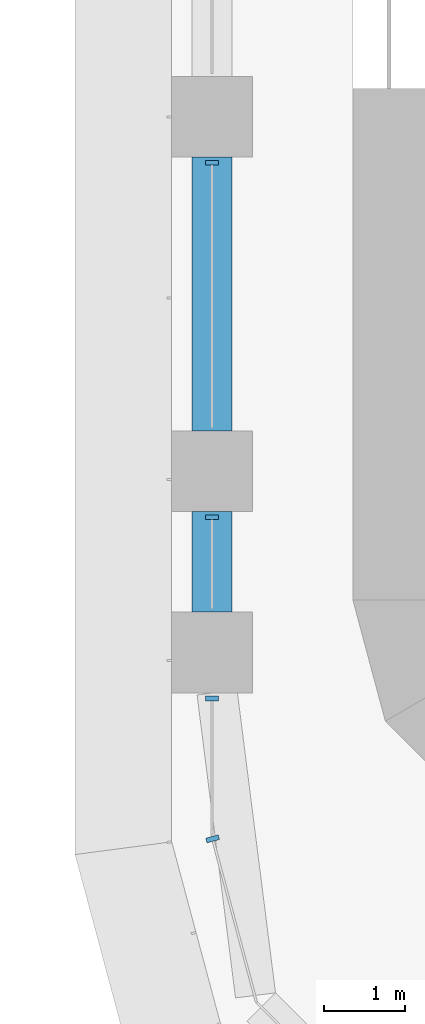
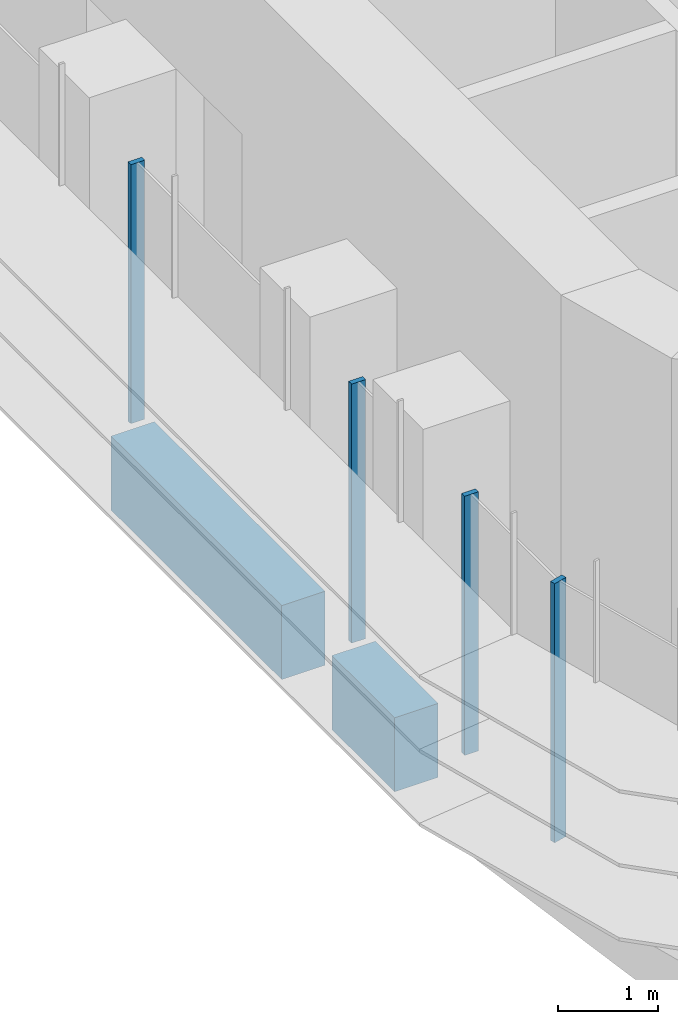
# One storey, part 2 of 23: 4 members, 2 beams, 2 elements without a shape of their own.
"""IFC4 building model written with IfcOpenShell, lengths in metres."""

from ifc_helpers import new_model, si_unit, direction, frame, origin, origin_2d, place, context, subcontext, project, spatial, polyline, rectangle, outline, extrude, source, transform, mapped, material, material_profile, profile_set, type_object, element, aggregate, save


model = new_model("IFC4")

# Units and contexts
model_context = context("Model", 3, precision=1e-05, world=origin(), true_north=direction((0.0, 1.0)))
body_context = subcontext(model_context, "Body", "Model", "MODEL_VIEW")
ifc_project = project(units=[si_unit("LENGTHUNIT", "METRE"), si_unit("AREAUNIT", "SQUARE_METRE"), si_unit("VOLUMEUNIT", "CUBIC_METRE"), si_unit("PLANEANGLEUNIT", "RADIAN"), si_unit("MASSUNIT", "GRAM", prefix="KILO")], contexts=[model_context])

# Site, building, storey
site_placement = place(None, origin())
site = spatial("IfcSite", under=ifc_project, at=site_placement, CompositionType="ELEMENT")
building_placement = place(site_placement, origin())
building = spatial("IfcBuilding", under=site, at=building_placement, Name="Zarbagh Exchange Tower", CompositionType="ELEMENT")
storey_placement = place(building_placement, frame((0.0, 0.0, 43.800048828125)))
storey = spatial("IfcBuildingStorey", under=building, at=storey_placement, Name="L09", CompositionType="ELEMENT", Elevation=43.800048828125)

# Beams
ifc_material_1 = material(Name="Concrete C60/75", Category="concrete")
ifc_material_profile = material_profile(ifc_material_1, rectangle(XDim=0.5, YDim=0.89990234375, at=origin_2d()), Name="RC spandrel beam 500 x 900 C60/75")
ifc_profile_set = profile_set([ifc_material_profile], Name="Concrete C60/75")
beam_type = type_object("IfcBeamType", Name="RC spandrel beam 500 x 900 C60/75", PredefinedType="SPANDREL", material=ifc_profile_set)
beam_1_placement = place(storey_placement, frame((-6.25, -26.39990234375, -0.60009765625), z_axis=(0.0, 1.0, 0.0), x_axis=(-1.0, 0.0, 0.0)))
element("IfcBeam", 1, at=beam_1_placement, inside=storey, type_object=beam_type, Name="RC spandrel beam", PredefinedType="SPANDREL", context=body_context, shape_type="SweptSolid", body=[
    extrude(rectangle(XDim=0.5, YDim=0.89990234375, at=origin_2d()), origin(), (0.0, 0.0, 1.0), 1.25),
])
beam_2_placement = place(storey_placement, frame((-6.25, -24.14990234375, -0.60009765625), z_axis=(0.0, 1.0, 0.0), x_axis=(-1.0, 0.0, 0.0)))
element("IfcBeam", 2, at=beam_2_placement, inside=storey, type_object=beam_type, Name="RC spandrel beam", PredefinedType="SPANDREL", context=body_context, shape_type="SweptSolid", body=[
    extrude(rectangle(XDim=0.5, YDim=0.89990234375, at=origin_2d()), origin(), (0.0, 0.0, 1.0), 3.39990234375),
])

# Curtain wall, members
ifc_material_2 = material(Name="Anodised aluminium frame and glazing", Category="aluminium")
curtain_wall_type = type_object("IfcCurtainWallType", Name="CWA Ribbon glazing, lower zones", PredefinedType="NOTDEFINED", material=ifc_material_2)
curtain_wall_1_placement = place(storey_placement, origin())
curtain_wall_1 = element("IfcCurtainWall", 3, at=curtain_wall_1_placement, inside=storey, type_object=curtain_wall_type, Name="CWA44 curtain wall", PredefinedType="NOTDEFINED")
ifc_material_3 = material(Name="Anodised aluminium frame", Category="aluminium")
member_type = type_object("IfcMemberType", Name="MUA Mullion, anodised aluminium frame", PredefinedType="MULLION", material=ifc_material_3)
shared_shape = source(origin(), body_context, "Body", "SweptSolid", [
    extrude(outline(polyline([(0.0, -0.080078125), (0.06005859375, -0.080078125), (0.06005859375, 0.080078125), (0.0, 0.080078125), (0.0, -0.080078125)])), origin(), (0.0, 0.0, 1.0), 3.14990234375),
])
placement = place(storey_placement, origin())
member_1 = element("IfcMember", 4, at=placement, type_object=member_type, Name="CWA44 mullion 3.1", PredefinedType="MULLION", context=body_context, shape_type="MappedRepresentation", body=[
    mapped(shared_shape, transform((-6.25, -20.7900390625, 0.0), x_axis=(0.0, -1.0, 0.0), y_axis=(1.0, 0.0, 0.0), z_axis=(0.0, 0.0, 1.0))),
])
member_2 = element("IfcMember", 5, at=placement, type_object=member_type, Name="CWA44 mullion 4.1", PredefinedType="MULLION", context=body_context, shape_type="MappedRepresentation", body=[
    mapped(shared_shape, transform((-6.25, -25.18994140625, 0.0), x_axis=(0.0, -1.0, 0.0), y_axis=(1.0, 0.0, 0.0), z_axis=(0.0, 0.0, 1.0))),
])
member_3 = element("IfcMember", 6, at=placement, type_object=member_type, Name="CWA44 mullion 5.1", PredefinedType="MULLION", context=body_context, shape_type="MappedRepresentation", body=[
    mapped(shared_shape, transform((-6.25, -27.43994140625, 0.0), x_axis=(0.0, -1.0, 0.0), y_axis=(1.0, 0.0, 0.0), z_axis=(0.0, 0.0, 1.0))),
])
aggregate(curtain_wall_1, [member_1, member_2, member_3])

# Curtain wall, member
curtain_wall_2_placement = place(storey_placement, origin())
curtain_wall_2 = element("IfcCurtainWall", 7, at=curtain_wall_2_placement, inside=storey, type_object=curtain_wall_type, Name="CWA45 curtain wall", PredefinedType="NOTDEFINED")
member_4 = element("IfcMember", 8, at=placement, type_object=member_type, Name="CWA45 mullion 1.1", PredefinedType="MULLION", context=body_context, shape_type="MappedRepresentation", body=[
    mapped(shared_shape, transform((-6.25, -29.18408203125, 0.0), x_axis=(0.258824779902, -0.965924289636, 0.0), y_axis=(0.965924289636, 0.258824779902, 0.0), z_axis=(0.0, 0.0, 1.0))),
])
aggregate(curtain_wall_2, [member_4])

save(model, "model.ifc")
